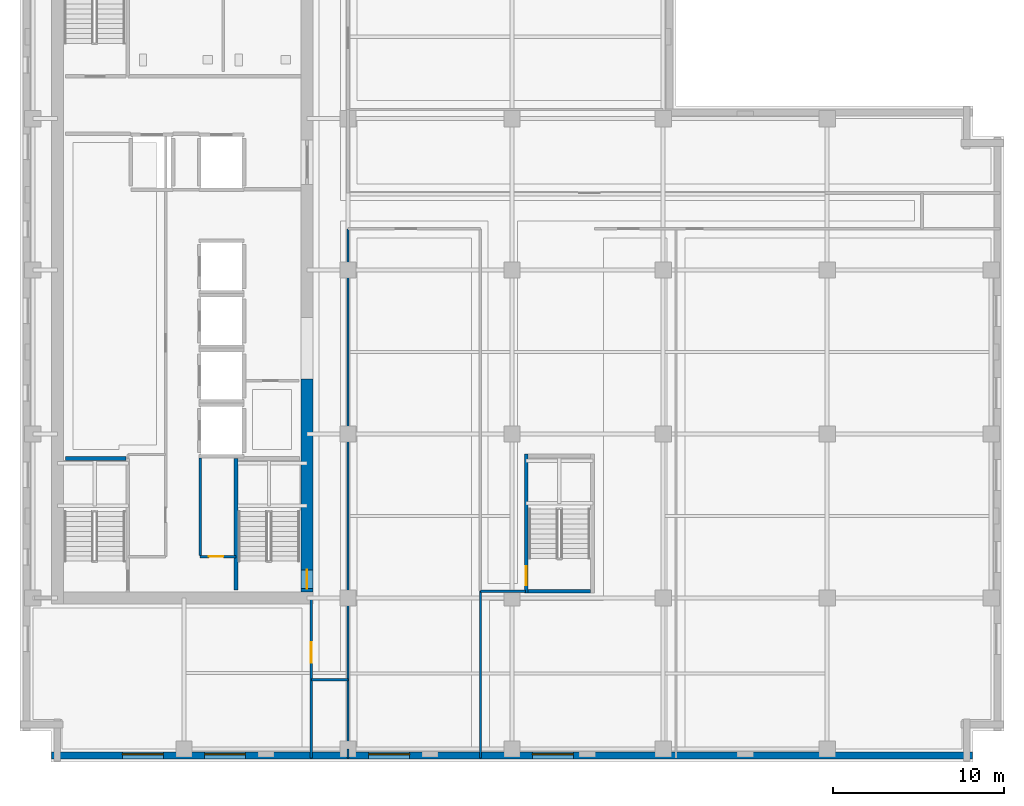
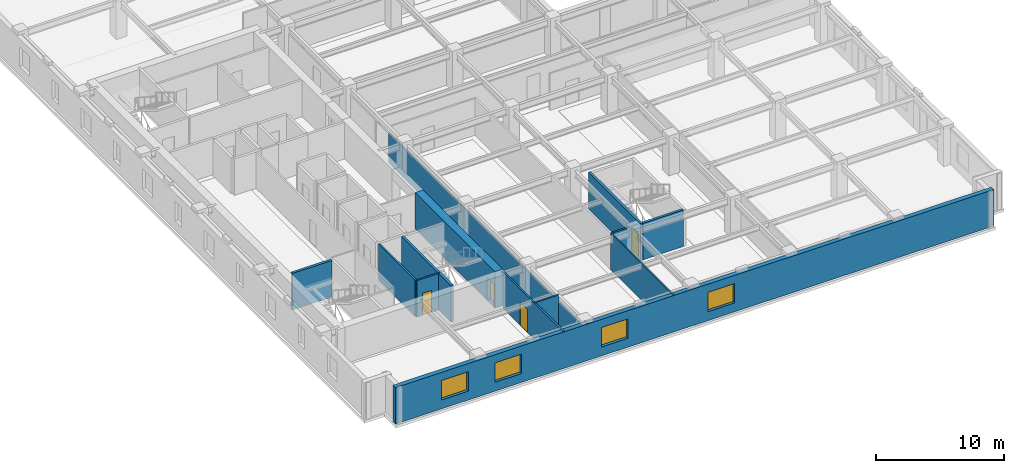
# One storey, part 4 of 13: 14 walls, 4 doors, 4 windows, 8 openings.
"""IFC4 building model written with IfcOpenShell, lengths in metres."""

from ifc_helpers import new_model, si_unit, direction, frame, frame_2d, origin, place, context, subcontext, project, spatial, rectangle, extrude, material, layer, layer_set, type_object, element, fill, save


model = new_model("IFC4")

# Units and contexts
model_context = context("Model", 3, precision=1e-05, world=origin(), true_north=direction((0.0, 1.0)))
body_context = subcontext(model_context, "Body", "Model", "MODEL_VIEW")
ifc_project = project(units=[si_unit("LENGTHUNIT", "METRE"), si_unit("AREAUNIT", "SQUARE_METRE"), si_unit("VOLUMEUNIT", "CUBIC_METRE"), si_unit("PLANEANGLEUNIT", "RADIAN"), si_unit("MASSUNIT", "GRAM", prefix="KILO")], contexts=[model_context])

# Site, building, storey
site_placement = place(None, origin())
site = spatial("IfcSite", under=ifc_project, at=site_placement, CompositionType="ELEMENT")
building_placement = place(site_placement, origin())
building = spatial("IfcBuilding", under=site, at=building_placement, Name="Norrvale University Quadrangle", CompositionType="ELEMENT")
storey_placement = place(building_placement, frame((0.0, 0.0, 190.199951171875)))
storey = spatial("IfcBuildingStorey", under=building, at=storey_placement, Name="L48", CompositionType="ELEMENT", Elevation=190.199951171875)

# Wall, opening, door
ifc_material_1 = material(Name="Concrete C60/75", Category="concrete")
ifc_layer_1 = layer(ifc_material_1, 0.699951171875, Name="Concrete C60/75")
ifc_layer_set_1 = layer_set([ifc_layer_1], Name="Concrete C60/75")
wall_type_1 = type_object("IfcWallType", Name="Wall Core 700", PredefinedType="SHEAR", material=ifc_layer_set_1)
wall_1_placement = place(storey_placement, frame((16.800048828125, 9.949951171875, 0.0), z_axis=(0.0, 0.0, 1.0), x_axis=(0.0, 1.0, 0.0)))
wall_1 = element("IfcWall", 1, at=wall_1_placement, inside=storey, type_object=wall_type_1, Name="Tower Core Shear Wall L48-E1", PredefinedType="SHEAR", context=body_context, shape_type="SweptSolid", body=[
    extrude(rectangle(XDim=12.449951171875, YDim=0.699951171875, at=frame_2d((6.22509765625, 0.0))), origin(), (0.0, 0.0, 1.0), 3.47998046875),
])
opening_1_placement = place(wall_1_placement, frame((0.18994140625, 0.0, 0.0)))
opening_1 = element("IfcOpeningElement", 2, at=opening_1_placement, cuts=wall_1, Name="Opening D02", PredefinedType="OPENING", context=body_context, shape_type="SweptSolid", body=[
    extrude(rectangle(XDim=1.10009765625, YDim=2.199951171875, at=frame_2d((0.550048828125, 1.10009765625))), frame((0.0, 0.362060546875, 0.0), z_axis=(0.0, -1.0, 0.0), x_axis=(1.0, 0.0, 0.0)), (0.0, 0.0, 1.0), 0.723876953125),
])
ifc_material_2 = material(Name="Hollow Steel 350W Fire Door", Category="steel")
door_type_1 = type_object("IfcDoorType", Name="Door Stair Exit 1100x2200", OperationType="NOTDEFINED", PredefinedType="DOOR", material=ifc_material_2)
door_1_placement = place(opening_1_placement, origin())
door_1 = element("IfcDoor", 3, at=door_1_placement, inside=storey, type_object=door_type_1, Name="Door Stair Exit 1100x2200 DR-L48-ST03", OperationType="SINGLE_SWING_LEFT", OverallHeight=2.199951171875, OverallWidth=1.10009765625, PredefinedType="DOOR", context=body_context, shape_type="SweptSolid", body=[
    extrude(rectangle(XDim=1.10009765625, YDim=2.199951171875, at=frame_2d((0.550048828125, 1.10009765625))), frame((0.0, 0.02490234375, 0.0), z_axis=(0.0, -1.0, 0.0), x_axis=(1.0, 0.0, 0.0)), (0.0, 0.0, 1.0), 0.050048828125),
])
fill(opening_1, door_1)

# Walls
ifc_material_3 = material(Name="Standard Academic Gypsum Partition")
ifc_layer_2 = layer(ifc_material_3, 0.125, Name="Standard Academic Gypsum Partition")
ifc_layer_set_2 = layer_set([ifc_layer_2], Name="Standard Academic Gypsum Partition")
wall_type_2 = type_object("IfcWallType", Name="Wall Gypsum Academic 125", PredefinedType="PARTITIONING", material=ifc_layer_set_2)
wall_2_placement = place(storey_placement, frame((19.199951171875, 0.219970703125, 0.0), z_axis=(0.0, 0.0, 1.0), x_axis=(0.0, 1.0, 0.0)))
element("IfcWall", 4, at=wall_2_placement, inside=storey, type_object=wall_type_2, Name="Interior Partition WL-L48-SE-W0", PredefinedType="PARTITIONING", context=body_context, shape_type="SweptSolid", body=[
    extrude(rectangle(XDim=0.530029296875, YDim=0.125, at=frame_2d((0.26513671875, 0.0))), origin(), (0.0, 0.0, 1.0), 3.47998046875),
])
wall_3_placement = place(storey_placement, frame((19.199951171875, 0.75, 0.0), z_axis=(0.0, 0.0, 1.0), x_axis=(0.0, 1.0, 0.0)))
element("IfcWall", 5, at=wall_3_placement, inside=storey, type_object=wall_type_2, Name="Interior Partition WL-L48-SE-W0-B2", PredefinedType="PARTITIONING", context=body_context, shape_type="SweptSolid", body=[
    extrude(rectangle(XDim=30.449951171875, YDim=0.125, at=frame_2d((15.22509765625, 0.0))), origin(), (0.0, 0.0, 1.0), 2.863037109375),
])
wall_4_placement = place(storey_placement, frame((26.949951171875, 0.219970703125, 0.0), z_axis=(0.0, 0.0, 1.0), x_axis=(0.0, 1.0, 0.0)))
element("IfcWall", 6, at=wall_4_placement, inside=storey, type_object=wall_type_2, Name="Interior Partition WL-L48-SEP1A", PredefinedType="PARTITIONING", context=body_context, shape_type="SweptSolid", body=[
    extrude(rectangle(XDim=9.780029296875, YDim=0.125, at=frame_2d((4.89013671875, 0.0))), origin(), (0.0, 0.0, 1.0), 3.47998046875),
])

# Wall, opening, door
ifc_material_4 = material(Name="Fire-Rated Gypsum Stud Partition")
ifc_layer_3 = layer(ifc_material_4, 0.14990234375, Name="Fire-Rated Gypsum Stud Partition")
ifc_layer_set_3 = layer_set([ifc_layer_3], Name="Fire-Rated Gypsum Stud Partition")
wall_type_3 = type_object("IfcWallType", Name="Wall Gypsum Corridor 150", PredefinedType="PARTITIONING", material=ifc_layer_set_3)
wall_5_placement = place(storey_placement, frame((10.550048828125, 12.02001953125, 0.0), z_axis=(0.0, 0.0, 1.0), x_axis=(1.0, 0.0, 0.0)))
wall_5 = element("IfcWall", 7, at=wall_5_placement, inside=storey, type_object=wall_type_3, Name="Interior Partition WL-L48-SC-NR", PredefinedType="PARTITIONING", context=body_context, shape_type="SweptSolid", body=[
    extrude(rectangle(XDim=2.079833984375, YDim=0.14990234375, at=frame_2d((1.0400390625, 0.0))), origin(), (0.0, 0.0, 1.0), 3.47998046875),
])
opening_2_placement = place(wall_5_placement, frame((0.5, 0.0, 0.0)))
opening_2 = element("IfcOpeningElement", 8, at=opening_2_placement, cuts=wall_5, Name="Opening D10", PredefinedType="OPENING", context=body_context, shape_type="SweptSolid", body=[
    extrude(rectangle(XDim=0.85009765625, YDim=2.10009765625, at=frame_2d((0.425048828125, 1.050048828125))), frame((0.0, 0.0869140625, 0.0), z_axis=(0.0, -1.0, 0.0), x_axis=(1.0, 0.0, 0.0)), (0.0, 0.0, 1.0), 0.173828125),
])
ifc_material_5 = material(Name="Hollow Steel 350W Riser Fire Door", Category="steel")
door_type_2 = type_object("IfcDoorType", Name="Door Riser 850x2100", OperationType="NOTDEFINED", PredefinedType="DOOR", material=ifc_material_5)
door_2_placement = place(opening_2_placement, origin())
door_2 = element("IfcDoor", 9, at=door_2_placement, inside=storey, type_object=door_type_2, Name="Door Riser 850x2100 DR-L48-IDF", OperationType="SINGLE_SWING_RIGHT", OverallHeight=2.10009765625, OverallWidth=0.85009765625, PredefinedType="DOOR", context=body_context, shape_type="SweptSolid", body=[
    extrude(rectangle(XDim=0.85009765625, YDim=2.10009765625, at=frame_2d((0.425048828125, 1.050048828125))), frame((0.0, 0.02490234375, 0.0), z_axis=(0.0, -1.0, 0.0), x_axis=(1.0, 0.0, 0.0)), (0.0, 0.0, 1.0), 0.050048828125),
])
fill(opening_2, door_2)

# Walls
wall_6_placement = place(storey_placement, frame((10.550048828125, 12.094970703125, 0.0), z_axis=(0.0, 0.0, 1.0), x_axis=(0.0, 1.0, 0.0)))
element("IfcWall", 10, at=wall_6_placement, inside=storey, type_object=wall_type_3, Name="Interior Partition WL-L48-SC-WR", PredefinedType="PARTITIONING", context=body_context, shape_type="SweptSolid", body=[
    extrude(rectangle(XDim=5.679931640625, YDim=0.14990234375, at=frame_2d((2.83984375, 0.0))), origin(), (0.0, 0.0, 1.0), 3.47998046875),
])
wall_7_placement = place(storey_placement, frame((17.050048828125, 4.800048828125, 0.0), z_axis=(0.0, 0.0, 1.0), x_axis=(1.0, 0.0, 0.0)))
element("IfcWall", 11, at=wall_7_placement, inside=storey, type_object=wall_type_3, Name="Interior Partition WL-L48-CSP-S", PredefinedType="PARTITIONING", context=body_context, shape_type="SweptSolid", body=[
    extrude(rectangle(XDim=2.14990234375, YDim=0.14990234375, at=frame_2d((1.074951171875, 0.0))), origin(), (0.0, 0.0, 1.0), 3.47998046875),
])

# Wall, opening, door
wall_8_placement = place(storey_placement, frame((17.050048828125, 0.219970703125, 0.0), z_axis=(0.0, 0.0, 1.0), x_axis=(0.0, 1.0, 0.0)))
wall_8 = element("IfcWall", 12, at=wall_8_placement, inside=storey, type_object=wall_type_3, Name="Interior Partition WL-L48-SW-E", PredefinedType="PARTITIONING", context=body_context, shape_type="SweptSolid", body=[
    extrude(rectangle(XDim=9.380126953125, YDim=0.14990234375, at=frame_2d((4.68994140625, 0.0))), origin(), (0.0, 0.0, 1.0), 3.47998046875),
])
opening_3_placement = place(wall_8_placement, frame((5.580078125, 0.0, 0.0)))
opening_3 = element("IfcOpeningElement", 13, at=opening_3_placement, cuts=wall_8, Name="Opening D05", PredefinedType="OPENING", context=body_context, shape_type="SweptSolid", body=[
    extrude(rectangle(XDim=1.199951171875, YDim=2.199951171875, at=frame_2d((0.60009765625, 1.10009765625))), frame((0.0, 0.0869140625, 0.0), z_axis=(0.0, -1.0, 0.0), x_axis=(1.0, 0.0, 0.0)), (0.0, 0.0, 1.0), 0.173828125),
])
ifc_material_6 = material(Name="Acoustic Oak Classroom Door", Category="wood")
door_type_3 = type_object("IfcDoorType", Name="Door Classroom 1200x2200", OperationType="NOTDEFINED", PredefinedType="DOOR", material=ifc_material_6)
door_3_placement = place(opening_3_placement, origin())
door_3 = element("IfcDoor", 14, at=door_3_placement, inside=storey, type_object=door_type_3, Name="Door Classroom 1200x2200 DR-L48-SW1", OperationType="SINGLE_SWING_LEFT", OverallHeight=2.199951171875, OverallWidth=1.199951171875, PredefinedType="DOOR", context=body_context, shape_type="SweptSolid", body=[
    extrude(rectangle(XDim=1.199951171875, YDim=2.199951171875, at=frame_2d((0.60009765625, 1.10009765625))), frame((0.0, 0.02490234375, 0.0), z_axis=(0.0, -1.0, 0.0), x_axis=(1.0, 0.0, 0.0)), (0.0, 0.0, 1.0), 0.050048828125),
])
fill(opening_3, door_3)

# Wall
wall_9_placement = place(storey_placement, frame((26.949951171875, 10.0, 0.0), z_axis=(0.0, 0.0, 1.0), x_axis=(1.0, 0.0, 0.0)))
element("IfcWall", 15, at=wall_9_placement, inside=storey, type_object=wall_type_3, Name="Interior Partition WL-L48-SEP1C", PredefinedType="PARTITIONING", context=body_context, shape_type="SweptSolid", body=[
    extrude(rectangle(XDim=2.630126953125, YDim=0.14990234375, at=frame_2d((1.31494140625, 0.0))), origin(), (0.0, 0.0, 1.0), 3.47998046875),
])

# Wall, openings, windows
ifc_material_7 = material(Name="Red Manganese Brick Masonry", Category="masonry")
ifc_layer_4 = layer(ifc_material_7, 0.39990234375, Name="Red Manganese Brick Masonry")
ifc_layer_set_4 = layer_set([ifc_layer_4], Name="Red Manganese Brick Masonry")
wall_type_4 = type_object("IfcWallType", Name="Wall Red Brick 400", PredefinedType="SOLIDWALL", material=ifc_layer_set_4)
wall_10_placement = place(storey_placement, frame((1.840087890625, 0.3798828125, 0.0), z_axis=(0.0, 0.0, 1.0), x_axis=(1.0, 0.0, 0.0)))
wall_10 = element("IfcWall", 16, at=wall_10_placement, inside=storey, type_object=wall_type_4, Name="Exterior Brick Facade Wall L48-01.1", PredefinedType="SOLIDWALL", context=body_context, shape_type="SweptSolid", body=[
    extrude(rectangle(XDim=53.919921875, YDim=0.39990234375, at=frame_2d((26.9599609375, 0.0))), origin(), (0.0, 0.0, 1.0), 3.47998046875),
])
opening_4_placement = place(wall_10_placement, frame((4.159912109375, 0.0, 0.85009765625)))
opening_4 = element("IfcOpeningElement", 17, at=opening_4_placement, cuts=wall_10, Name="Opening W02", PredefinedType="OPENING", context=body_context, shape_type="SweptSolid", body=[
    extrude(rectangle(XDim=2.39990234375, YDim=1.85009765625, at=frame_2d((1.199951171875, 0.925048828125))), frame((0.0, 0.2119140625, 0.0), z_axis=(0.0, -1.0, 0.0), x_axis=(1.0, 0.0, 0.0)), (0.0, 0.0, 1.0), 0.423828125),
])
opening_5_placement = place(wall_10_placement, frame((8.9599609375, 0.0, 0.85009765625)))
opening_5 = element("IfcOpeningElement", 18, at=opening_5_placement, cuts=wall_10, Name="Opening W02", PredefinedType="OPENING", context=body_context, shape_type="SweptSolid", body=[
    extrude(rectangle(XDim=2.39990234375, YDim=1.85009765625, at=frame_2d((1.199951171875, 0.925048828125))), frame((0.0, 0.2119140625, 0.0), z_axis=(0.0, -1.0, 0.0), x_axis=(1.0, 0.0, 0.0)), (0.0, 0.0, 1.0), 0.423828125),
])
opening_6_placement = place(wall_10_placement, frame((18.56005859375, 0.0, 0.85009765625)))
opening_6 = element("IfcOpeningElement", 19, at=opening_6_placement, cuts=wall_10, Name="Opening W02", PredefinedType="OPENING", context=body_context, shape_type="SweptSolid", body=[
    extrude(rectangle(XDim=2.39990234375, YDim=1.85009765625, at=frame_2d((1.199951171875, 0.925048828125))), frame((0.0, 0.2119140625, 0.0), z_axis=(0.0, -1.0, 0.0), x_axis=(1.0, 0.0, 0.0)), (0.0, 0.0, 1.0), 0.423828125),
])
opening_7_placement = place(wall_10_placement, frame((28.159912109375, 0.0, 0.85009765625)))
opening_7 = element("IfcOpeningElement", 20, at=opening_7_placement, cuts=wall_10, Name="Opening W02", PredefinedType="OPENING", context=body_context, shape_type="SweptSolid", body=[
    extrude(rectangle(XDim=2.39990234375, YDim=1.85009765625, at=frame_2d((1.199951171875, 0.925048828125))), frame((0.0, 0.2119140625, 0.0), z_axis=(0.0, -1.0, 0.0), x_axis=(1.0, 0.0, 0.0)), (0.0, 0.0, 1.0), 0.423828125),
])
ifc_material_8 = material(Name="Triple Low-E Argon Glazing", Category="glass")
window_type = type_object("IfcWindowType", Name="Window Academic 2400x2300", PartitioningType="TRIPLE_PANEL_VERTICAL", PredefinedType="WINDOW", material=ifc_material_8)
window_1_placement = place(opening_4_placement, origin())
window_1 = element("IfcWindow", 21, at=window_1_placement, inside=storey, type_object=window_type, Name="Window Academic 2400x2300 WIN-L48-E01-1-01", OverallHeight=1.85009765625, OverallWidth=2.39990234375, PartitioningType="TRIPLE_PANEL_VERTICAL", PredefinedType="WINDOW", context=body_context, shape_type="SweptSolid", body=[
    extrude(rectangle(XDim=2.39990234375, YDim=1.85009765625, at=frame_2d((1.199951171875, 0.925048828125))), frame((0.0, 0.110107421875, 0.0), z_axis=(0.0, -1.0, 0.0), x_axis=(1.0, 0.0, 0.0)), (0.0, 0.0, 1.0), 0.06005859375),
])
fill(opening_4, window_1)
window_2_placement = place(opening_5_placement, origin())
window_2 = element("IfcWindow", 22, at=window_2_placement, inside=storey, type_object=window_type, Name="Window Academic 2400x2300 WIN-L48-E01-1-02", OverallHeight=1.85009765625, OverallWidth=2.39990234375, PartitioningType="TRIPLE_PANEL_VERTICAL", PredefinedType="WINDOW", context=body_context, shape_type="SweptSolid", body=[
    extrude(rectangle(XDim=2.39990234375, YDim=1.85009765625, at=frame_2d((1.199951171875, 0.925048828125))), frame((0.0, 0.110107421875, 0.0), z_axis=(0.0, -1.0, 0.0), x_axis=(1.0, 0.0, 0.0)), (0.0, 0.0, 1.0), 0.06005859375),
])
fill(opening_5, window_2)
window_3_placement = place(opening_6_placement, origin())
window_3 = element("IfcWindow", 23, at=window_3_placement, inside=storey, type_object=window_type, Name="Window Academic 2400x2300 WIN-L48-E01-1-03", OverallHeight=1.85009765625, OverallWidth=2.39990234375, PartitioningType="TRIPLE_PANEL_VERTICAL", PredefinedType="WINDOW", context=body_context, shape_type="SweptSolid", body=[
    extrude(rectangle(XDim=2.39990234375, YDim=1.85009765625, at=frame_2d((1.199951171875, 0.925048828125))), frame((0.0, 0.110107421875, 0.0), z_axis=(0.0, -1.0, 0.0), x_axis=(1.0, 0.0, 0.0)), (0.0, 0.0, 1.0), 0.06005859375),
])
fill(opening_6, window_3)
window_4_placement = place(opening_7_placement, origin())
window_4 = element("IfcWindow", 24, at=window_4_placement, inside=storey, type_object=window_type, Name="Window Academic 2400x2300 WIN-L48-E01-1-04", OverallHeight=1.85009765625, OverallWidth=2.39990234375, PartitioningType="TRIPLE_PANEL_VERTICAL", PredefinedType="WINDOW", context=body_context, shape_type="SweptSolid", body=[
    extrude(rectangle(XDim=2.39990234375, YDim=1.85009765625, at=frame_2d((1.199951171875, 0.925048828125))), frame((0.0, 0.110107421875, 0.0), z_axis=(0.0, -1.0, 0.0), x_axis=(1.0, 0.0, 0.0)), (0.0, 0.0, 1.0), 0.06005859375),
])
fill(opening_7, window_4)

# Walls
ifc_material_9 = material(Name="Concrete Blockwork 20 MPa Fire Shaft", Category="masonry")
ifc_layer_5 = layer(ifc_material_9, 0.219970703125, Name="Concrete Blockwork 20 MPa Fire Shaft")
ifc_layer_set_5 = layer_set([ifc_layer_5], Name="Concrete Blockwork 20 MPa Fire Shaft")
wall_type_5 = type_object("IfcWallType", Name="Wall Shaft 220", PredefinedType="SOLIDWALL", material=ifc_layer_set_5)
wall_11_placement = place(storey_placement, frame((2.64990234375, 17.760009765625, 0.0), z_axis=(0.0, 0.0, 1.0), x_axis=(1.0, 0.0, 0.0)))
element("IfcWall", 25, at=wall_11_placement, inside=storey, type_object=wall_type_5, Name="Stair ST-01 North Shaft Wall L48", PredefinedType="SOLIDWALL", context=body_context, shape_type="SweptSolid", body=[
    extrude(rectangle(XDim=3.550048828125, YDim=0.219970703125, at=frame_2d((1.77490234375, 0.0))), origin(), (0.0, 0.0, 1.0), 3.47998046875),
])
wall_12_placement = place(storey_placement, frame((12.639892578125, 10.050048828125, 0.0), z_axis=(0.0, 0.0, 1.0), x_axis=(0.0, 1.0, 0.0)))
element("IfcWall", 26, at=wall_12_placement, inside=storey, type_object=wall_type_5, Name="Stair ST-03 West Shaft Wall L48", PredefinedType="SOLIDWALL", context=body_context, shape_type="SweptSolid", body=[
    extrude(rectangle(XDim=7.7099609375, YDim=0.219970703125, at=frame_2d((3.85498046875, 0.0))), origin(), (0.0, 0.0, 1.0), 3.47998046875),
])
wall_13_placement = place(storey_placement, frame((29.75, 9.989990234375, 0.0), z_axis=(0.0, 0.0, 1.0), x_axis=(1.0, 0.0, 0.0)))
element("IfcWall", 27, at=wall_13_placement, inside=storey, type_object=wall_type_5, Name="Stair ST-04 South Shaft Wall L48", PredefinedType="SOLIDWALL", context=body_context, shape_type="SweptSolid", body=[
    extrude(rectangle(XDim=3.64990234375, YDim=0.219970703125, at=frame_2d((1.824951171875, 0.0))), origin(), (0.0, 0.0, 1.0), 3.47998046875),
])

# Wall, opening, door
wall_14_placement = place(storey_placement, frame((29.639892578125, 9.8798828125, 0.0), z_axis=(0.0, 0.0, 1.0), x_axis=(0.0, 1.0, 0.0)))
wall_14 = element("IfcWall", 28, at=wall_14_placement, inside=storey, type_object=wall_type_5, Name="Stair ST-04 West Shaft Wall L48", PredefinedType="SOLIDWALL", context=body_context, shape_type="SweptSolid", body=[
    extrude(rectangle(XDim=8.14013671875, YDim=0.219970703125, at=frame_2d((4.070068359375, 0.0))), origin(), (0.0, 0.0, 1.0), 3.47998046875),
])
opening_8_placement = place(wall_14_placement, frame((0.469970703125, 0.0, 0.0)))
opening_8 = element("IfcOpeningElement", 29, at=opening_8_placement, cuts=wall_14, Name="Opening D02", PredefinedType="OPENING", context=body_context, shape_type="SweptSolid", body=[
    extrude(rectangle(XDim=1.10009765625, YDim=2.199951171875, at=frame_2d((0.550048828125, 1.10009765625))), frame((0.0, 0.1220703125, 0.0), z_axis=(0.0, -1.0, 0.0), x_axis=(1.0, 0.0, 0.0)), (0.0, 0.0, 1.0), 0.243896484375),
])
door_4_placement = place(opening_8_placement, frame((1.10009765625, 0.0, 0.0), z_axis=(0.0, 0.0, 1.0), x_axis=(-1.0, 0.0, 0.0)))
door_4 = element("IfcDoor", 30, at=door_4_placement, inside=storey, type_object=door_type_1, Name="Door Stair Exit 1100x2200 DR-L48-ST04", OperationType="SINGLE_SWING_RIGHT", OverallHeight=2.199951171875, OverallWidth=1.10009765625, PredefinedType="DOOR", context=body_context, shape_type="SweptSolid", body=[
    extrude(rectangle(XDim=1.10009765625, YDim=2.199951171875, at=frame_2d((0.550048828125, 1.10009765625))), frame((0.0, 0.02490234375, 0.0), z_axis=(0.0, -1.0, 0.0), x_axis=(1.0, 0.0, 0.0)), (0.0, 0.0, 1.0), 0.050048828125),
])
fill(opening_8, door_4)

save(model, "model.ifc")
